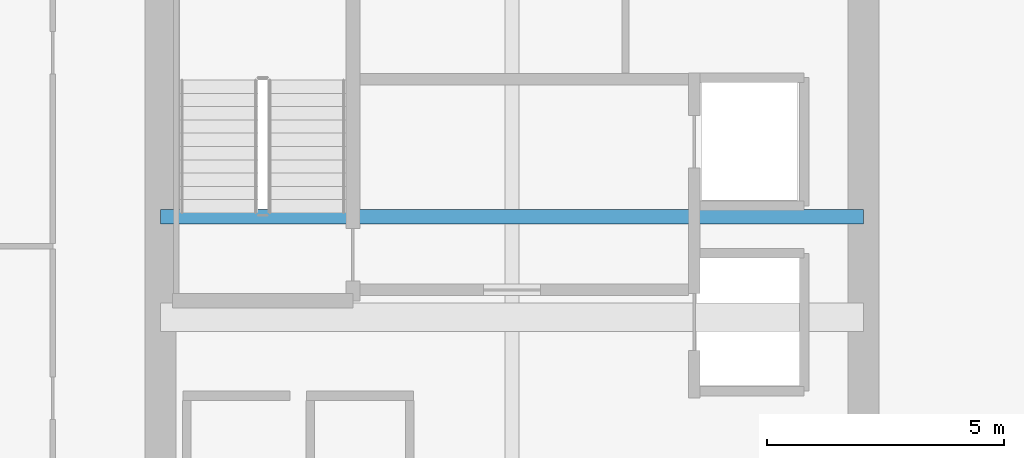
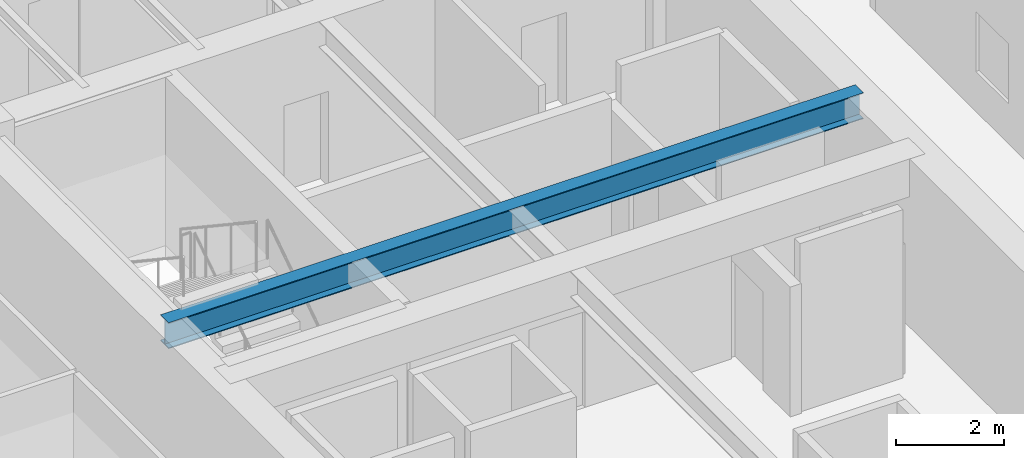
# One storey, part 9 of 34: 1 beam.
"""IFC4 building model written with IfcOpenShell, lengths in metres."""

from ifc_helpers import new_model, si_unit, direction, frame, origin, origin_2d, place, context, subcontext, project, spatial, i_section, extrude, source, transform, mapped, material, material_profile, profile_set, type_object, type_shapes, element, save


model = new_model("IFC4")

# Units and contexts
model_context = context("Model", 3, precision=1e-05, world=origin(), true_north=direction((0.0, 1.0)))
body_context = subcontext(model_context, "Body", "Model", "MODEL_VIEW")
ifc_project = project(units=[si_unit("LENGTHUNIT", "METRE"), si_unit("AREAUNIT", "SQUARE_METRE"), si_unit("VOLUMEUNIT", "CUBIC_METRE"), si_unit("PLANEANGLEUNIT", "RADIAN"), si_unit("MASSUNIT", "GRAM", prefix="KILO")], contexts=[model_context])

# Site, building, storey
site_placement = place(None, origin())
site = spatial("IfcSite", under=ifc_project, at=site_placement, CompositionType="ELEMENT")
building_placement = place(site_placement, origin())
building = spatial("IfcBuilding", under=site, at=building_placement, Name="Haelvirn Gate Laboratories", CompositionType="ELEMENT")
storey_placement = place(building_placement, frame((0.0, 0.0, 178.89990234375)))
storey = spatial("IfcBuildingStorey", under=building, at=storey_placement, Name="L43", CompositionType="ELEMENT", Elevation=178.89990234375)

# Beam
ifc_material = material(Name="Steel SM355", Category="steel")
ifc_material_profile = material_profile(ifc_material, i_section(OverallWidth=0.300048828125, OverallDepth=0.587890625, WebThickness=0.011962890625, FlangeThickness=0.02001953125, at=origin_2d()), Name="H-588x300x12x20")
ifc_profile_set = profile_set([ifc_material_profile], Name="Steel SM355")
beam_type = type_object("IfcBeamType", Name="BM-G-588", PredefinedType="BEAM", material=ifc_profile_set)
shared_shape = source(origin(), body_context, "Body", "SweptSolid", [
    extrude(i_section(OverallWidth=0.300048828125, OverallDepth=0.587890625, WebThickness=0.011962890625, FlangeThickness=0.02001953125, at=origin_2d()), origin(), (0.0, 0.0, 1.0), 14.800048828125),
])
type_shapes(beam_type, [shared_shape])
beam_placement = place(storey_placement, frame((7.39990234375, 26.6201171875, 3.49609375), z_axis=(1.0, 0.0, 0.0), x_axis=(0.0, 1.0, 0.0)))
element("IfcBeam", 1, at=beam_placement, inside=storey, type_object=beam_type, Name="L43 Stair ST1 Landing Header", PredefinedType="BEAM", context=body_context, shape_type="MappedRepresentation", body=[
    mapped(shared_shape, transform((0.0, 0.0, 0.0), scale=1.0)),
])

save(model, "model.ifc")
